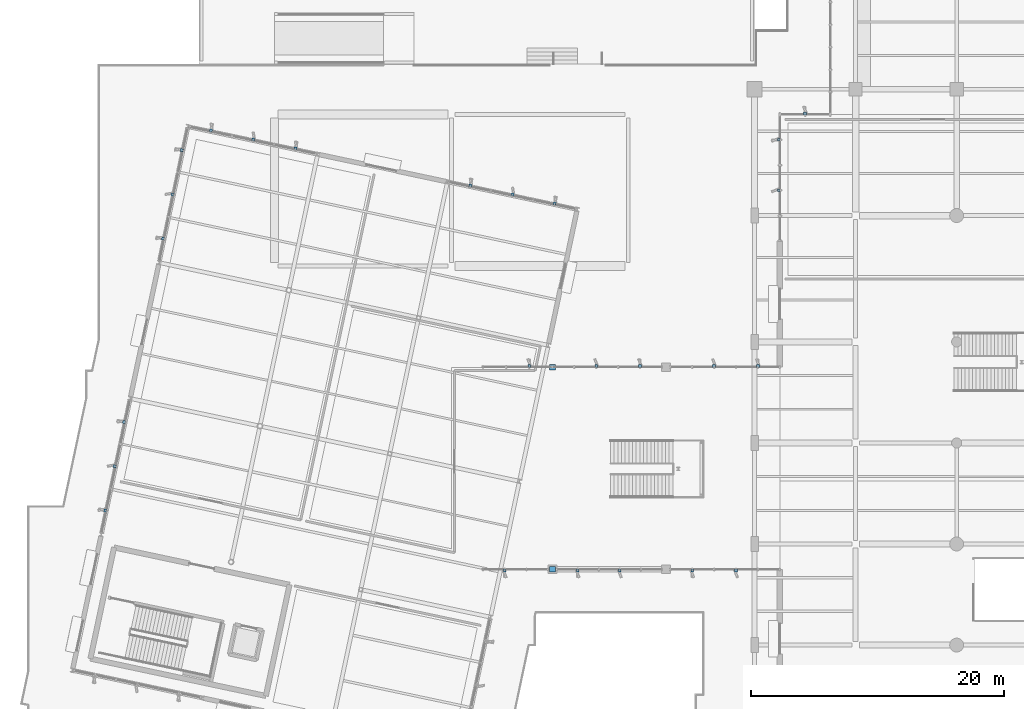
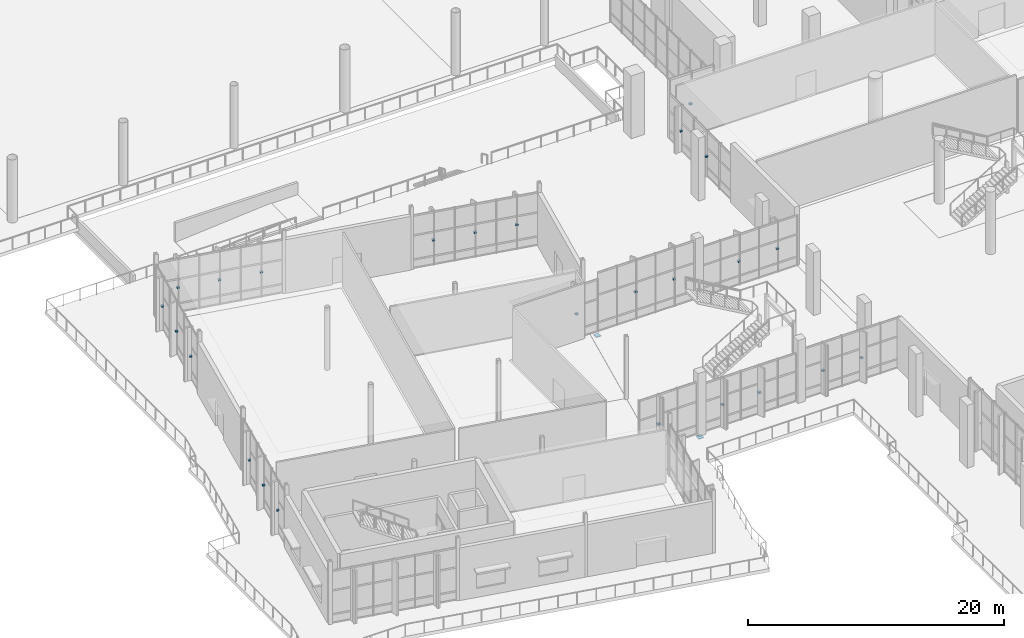
# One storey, part 136 of 163: 27 discrete accessories.
"""IFC4 building model written with IfcOpenShell, lengths in metres."""

from ifc_helpers import new_model, si_unit, direction, frame, origin, origin_2d, place, context, subcontext, project, spatial, rectangle, extrude, material, type_object, element, save


model = new_model("IFC4")

# Units and contexts
model_context = context("Model", 3, precision=1e-05, world=origin(), true_north=direction((0.0, 1.0)))
body_context = subcontext(model_context, "Body", "Model", "MODEL_VIEW")
ifc_project = project(units=[si_unit("LENGTHUNIT", "METRE"), si_unit("AREAUNIT", "SQUARE_METRE"), si_unit("VOLUMEUNIT", "CUBIC_METRE"), si_unit("PLANEANGLEUNIT", "RADIAN"), si_unit("MASSUNIT", "GRAM", prefix="KILO")], contexts=[model_context])

# Site, building, storey
site_placement = place(None, origin())
site = spatial("IfcSite", under=ifc_project, at=site_placement, CompositionType="ELEMENT")
building_placement = place(site_placement, origin())
building = spatial("IfcBuilding", under=site, at=building_placement, Name="Khorjan Park Terminus", CompositionType="ELEMENT")
storey_placement = place(building_placement, origin())
storey = spatial("IfcBuildingStorey", under=building, at=storey_placement, Name="L00", CompositionType="ELEMENT", Elevation=0.0)

# Discrete accessories
ifc_material = material(Name="Steel S355", Category="steel")
discrete_accessory_type_1 = type_object("IfcDiscreteAccessoryType", Name="ACC-BRK-FIN", PredefinedType="BRACKET", material=ifc_material)
for number, where, z_axis, x_axis, name in (
    (1, (52.0, 86.09, 2.459), (0.0, 0.0, 1.0), (-1.0, 0.0, 0.0), "Solar fin structural bracket BK-01 (CW-V2-N-L00-01-1)"),
    (2, (49.91, 84.0, 1.8943), (0.0, 0.0, 1.0), (0.0, -1.0, 0.0), "Solar fin structural bracket BK-01 (CW-V2-W-L00-05-1)"),
    (3, (49.91, 80.0, 1.8943), (0.0, 0.0, 1.0), (0.0, -1.0, 0.0), "Solar fin structural bracket BK-01 (CW-V2-W-L00-05-3)"),
    (4, (28.2233, 49.91, 2.1913), (0.0, 0.0, 1.0), (1.0, 0.0, 0.0), "Solar fin structural bracket BK-01 (CW-V4L-S-L00-1-1)"),
    (5, (30.1667, 66.09, 2.1867), (0.0, 0.0, 1.0), (-1.0, 0.0, 0.0), "Solar fin structural bracket BK-01 (CW-V4L-N-L00-1-1)"),
    (6, (33.998, 49.91, 2.0202), (0.0, 0.0, 1.0), (1.0, 0.0, 0.0), "Solar fin structural bracket BK-01 (CW-V4L-S-L00-2-1)"),
    (7, (37.334, 49.91, 2.0202), (0.0, 0.0, 1.0), (1.0, 0.0, 0.0), "Solar fin structural bracket BK-01 (CW-V4L-S-L00-2-3)"),
    (8, (38.936, 66.09, 2.468), (0.0, 0.0, 1.0), (-1.0, 0.0, 0.0), "Solar fin structural bracket BK-01 (CW-V4L-N-L00-2-1)"),
    (9, (35.468, 66.09, 2.468), (0.0, 0.0, 1.0), (-1.0, 0.0, 0.0), "Solar fin structural bracket BK-01 (CW-V4L-N-L00-2-3)"),
    (10, (43.064, 49.91, 2.1013), (0.0, 0.0, 1.0), (1.0, 0.0, 0.0), "Solar fin structural bracket BK-01 (CW-V4L-S-L00-3-1)"),
    (11, (46.532, 49.91, 2.1013), (0.0, 0.0, 1.0), (1.0, 0.0, 0.0), "Solar fin structural bracket BK-01 (CW-V4L-S-L00-3-3)"),
    (12, (48.266, 66.09, 2.1013), (0.0, 0.0, 1.0), (-1.0, 0.0, 0.0), "Solar fin structural bracket BK-01 (CW-V4L-N-L00-3-1)"),
    (13, (44.798, 66.09, 2.1013), (0.0, 0.0, 1.0), (-1.0, 0.0, 0.0), "Solar fin structural bracket BK-01 (CW-V4L-N-L00-3-3)"),
    (14, (32.1805, 78.9595, 2.2137), (0.0, 0.0, 1.0), (-0.978149552254, 0.207902509423, 0.0), "Solar fin structural bracket BK-01 (CW-V4-N-L00-B01-1)"),
    (15, (28.8384, 79.6699, 2.2137), (0.0, 0.0, 1.0), (-0.978149552254, 0.207902509423, 0.0), "Solar fin structural bracket BK-01 (CW-V4-N-L00-B01-3)"),
    (16, (25.4962, 80.3802, 2.2137), (0.0, 0.0, 1.0), (-0.978149552254, 0.207902509423, 0.0), "Solar fin structural bracket BK-01 (CW-V4-N-L00-B01-5)"),
    (17, (11.6493, 83.3235, 2.2362), (0.0, 0.0, 1.0), (-0.978147146591, 0.207913827382, 0.0), "Solar fin structural bracket BK-01 (CW-V4-N-L00-B03-1)"),
    (18, (8.3072, 84.0339, 2.2362), (0.0, 0.0, 1.0), (-0.978147146591, 0.207913827382, 0.0), "Solar fin structural bracket BK-01 (CW-V4-N-L00-B03-3)"),
    (19, (4.9651, 84.7443, 2.2362), (0.0, 0.0, 1.0), (-0.978147146591, 0.207913827382, 0.0), "Solar fin structural bracket BK-01 (CW-V4-N-L00-B03-5)"),
    (20, (2.6609, 83.1787, 2.2093), (0.0, 0.0, 1.0), (-0.207916776669, -0.978146519689, 0.0), "Solar fin structural bracket BK-01 (CW-V4-W-L00-B01-1)"),
    (21, (1.9166, 79.6771, 2.2093), (0.0, 0.0, 1.0), (-0.207916776669, -0.978146519689, 0.0), "Solar fin structural bracket BK-01 (CW-V4-W-L00-B01-3)"),
    (22, (1.1723, 76.1756, 2.2093), (0.0, 0.0, 1.0), (-0.207916776669, -0.978146519689, 0.0), "Solar fin structural bracket BK-01 (CW-V4-W-L00-B01-5)"),
    (23, (-1.9132, 61.6597, 2.1867), (0.0, 0.0, 1.0), (-0.207916776669, -0.978146519689, 0.0), "Solar fin structural bracket BK-01 (CW-V4-W-L00-B03-1)"),
    (24, (-2.6574, 58.1581, 2.1867), (0.0, 0.0, 1.0), (-0.207916776669, -0.978146519689, 0.0), "Solar fin structural bracket BK-01 (CW-V4-W-L00-B03-3)"),
    (25, (-3.4018, 54.6566, 2.1867), (0.0, 0.0, 1.0), (-0.207916776669, -0.978146519689, 0.0), "Solar fin structural bracket BK-01 (CW-V4-W-L00-B03-5)"),
):
    element("IfcDiscreteAccessory", number, at=place(storey_placement, frame(where, z_axis=z_axis, x_axis=x_axis)), inside=storey, type_object=discrete_accessory_type_1, Name=name, PredefinedType="BRACKET", context=body_context, shape_type="SweptSolid", body=[
        extrude(rectangle(XDim=0.22, YDim=0.22, at=origin_2d()), origin(), (0.0, 0.0, 1.0), 0.14),
    ])
discrete_accessory_type_2 = type_object("IfcDiscreteAccessoryType", Name="ACC-SHOE-PTFE", PredefinedType="SHOE", material=ifc_material)
for number, where, z_axis, x_axis, name in (
    (26, (32.0, 50.0, -0.41), (0.0, 0.0, 1.0), (1.0, 0.0, 0.0), "Unguided PTFE elastomeric movement-joint bearing BRG-01 (1)"),
    (27, (32.0, 66.0, -0.41), (0.0, 0.0, 1.0), (1.0, 0.0, 0.0), "Unguided PTFE elastomeric movement-joint bearing BRG-01 (2)"),
):
    element("IfcDiscreteAccessory", number, at=place(storey_placement, frame(where, z_axis=z_axis, x_axis=x_axis)), inside=storey, type_object=discrete_accessory_type_2, Name=name, PredefinedType="SHOE", context=body_context, shape_type="SweptSolid", body=[
        extrude(rectangle(XDim=0.45, YDim=0.45, at=origin_2d()), origin(), (0.0, 0.0, 1.0), 0.08),
    ])

save(model, "model.ifc")
